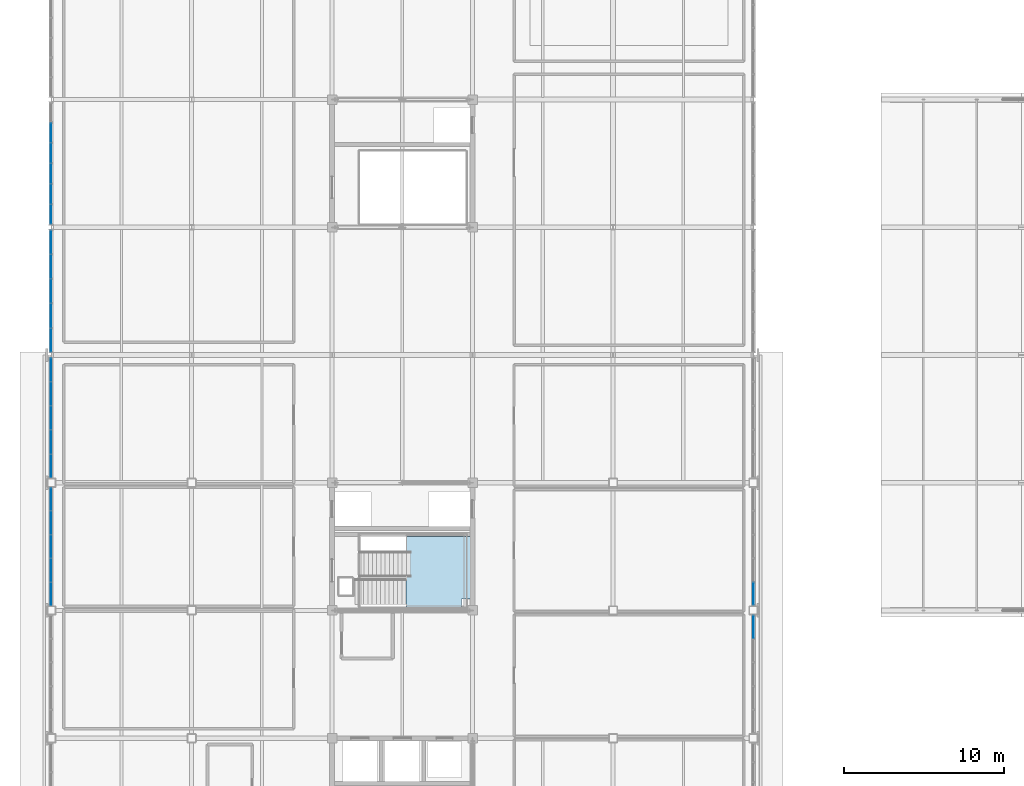
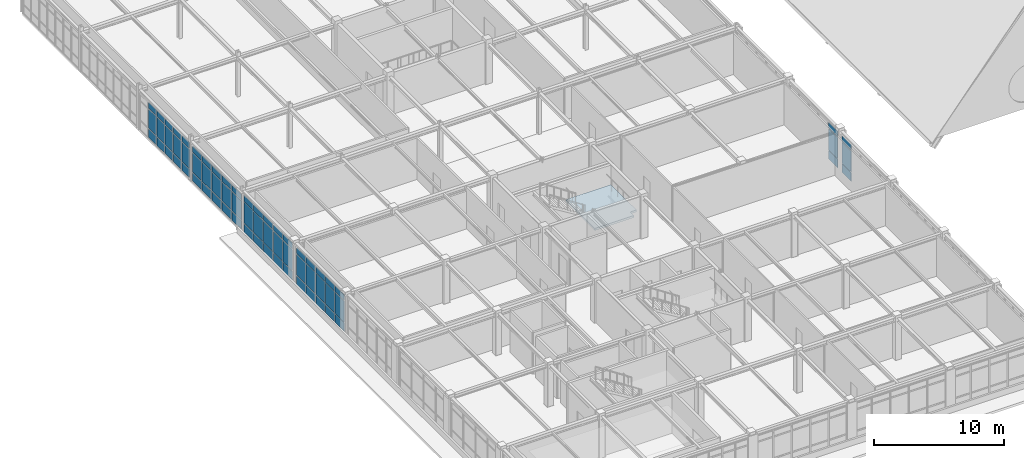
# One storey, part 29 of 64: 66 plates, 1 slab, 7 elements without a shape of their own.
"""IFC4 building model written with IfcOpenShell, lengths in metres."""

import ifcopenshell
import ifcopenshell.guid

model = None  # the IFC model being written
_history = None  # IfcOwnerHistory: only IFC2X3 demands one
_inside = {}  # id of a spatial element -> (the spatial element, [elements in it])
_under = {}  # id of a project, library or spatial element -> (it, [spatial elements below it])
_declared = {}  # id of a project -> (the project, [libraries it declares])
_typed = {}  # id of a type object -> (the type object, [elements of that type])
_made_of = {}  # id of a material, layer set ... -> (it, [elements and type objects made of it])


def new_model(schema):
    """Start an empty IFC model of exactly this schema.

    Asked for "IFC4X3", IfcOpenShell would pick the latest addendum, in which some entities
    have other attributes; the version numbers below select the first issue.
    IFC2X3 requires an IfcOwnerHistory on every rooted entity: one is made here for all.
    """
    global model, _history
    if schema == "IFC4X3":
        model = ifcopenshell.file(schema_version=(4, 3, 0, 0))
    else:
        model = ifcopenshell.file(schema=schema)
    _inside.clear()
    _under.clear()
    _declared.clear()
    _typed.clear()
    _made_of.clear()
    _history = None
    if model.schema == "IFC2X3":
        org = make("IfcOrganization", Name="unknown")
        user = make(
            "IfcPersonAndOrganization",
            ThePerson=make("IfcPerson", FamilyName="unknown"),
            TheOrganization=org,
        )
        app = make(
            "IfcApplication",
            ApplicationDeveloper=org,
            Version="unknown",
            ApplicationFullName="unknown",
            ApplicationIdentifier="unknown",
        )
        _history = make(
            "IfcOwnerHistory",
            OwningUser=user,
            OwningApplication=app,
            ChangeAction="ADDED",
            CreationDate=0,
        )
    return model


def make(cls, **values):
    """One entity of the class cls with the attributes given. An attribute that is None is left unset."""
    return model.create_entity(
        cls, **{name: value for name, value in values.items() if value is not None}
    )


def rooted(cls, **values):
    """An entity with a GlobalId (a new one), such as an element, a storey or a relation."""
    return make(cls, GlobalId=ifcopenshell.guid.new(), OwnerHistory=_history, **values)


def si_unit(unit_type, name, prefix=None):
    """IfcSIUnit, for example si_unit("LENGTHUNIT", "METRE", prefix="MILLI")."""
    return make("IfcSIUnit", UnitType=unit_type, Prefix=prefix, Name=name)


def assignment(units):
    """IfcUnitAssignment: the units of a project."""
    return None if units is None else make("IfcUnitAssignment", Units=units)


def point(xyz):
    """IfcCartesianPoint."""
    return None if xyz is None else make("IfcCartesianPoint", Coordinates=xyz)


def direction(xyz):
    """IfcDirection."""
    return None if xyz is None else make("IfcDirection", DirectionRatios=xyz)


def frame(location, z_axis=None, x_axis=None):
    """IfcAxis2Placement3D, a coordinate frame: its origin and axes. An axis left out is left unset."""
    return make(
        "IfcAxis2Placement3D",
        Location=point(location),
        Axis=direction(z_axis),
        RefDirection=direction(x_axis),
    )


def frame_2d(location, x_axis=None):
    """IfcAxis2Placement2D, a coordinate frame in the plane: its origin and x axis."""
    return make(
        "IfcAxis2Placement2D", Location=point(location), RefDirection=direction(x_axis)
    )


def origin():
    """The frame at (0, 0, 0) with its axes left unset."""
    return frame((0.0, 0.0, 0.0))


def origin_2d():
    """The frame at (0, 0) in the plane with its x axis left unset."""
    return frame_2d((0.0, 0.0))


def place(relative_to, where):
    """IfcLocalPlacement: puts the frame where relative to a parent placement (None: the world)."""
    return make(
        "IfcLocalPlacement", PlacementRelTo=relative_to, RelativePlacement=where
    )


def context(
    kind, dimensions, precision=None, world=None, true_north=None, identifier=None
):
    """IfcGeometricRepresentationContext, for example the 3D "Model" context."""
    return make(
        "IfcGeometricRepresentationContext",
        ContextIdentifier=identifier,
        ContextType=kind,
        CoordinateSpaceDimension=dimensions,
        Precision=precision,
        WorldCoordinateSystem=world,
        TrueNorth=true_north,
    )


def subcontext(parent, identifier, kind, view, scale=None):
    """IfcGeometricRepresentationSubContext, for example "Body" below "Model"."""
    return make(
        "IfcGeometricRepresentationSubContext",
        ContextIdentifier=identifier,
        ContextType=kind,
        ParentContext=parent,
        TargetScale=scale,
        TargetView=view,
    )


def project(units=None, contexts=None):
    """IfcProject with its units and contexts."""
    return rooted(
        "IfcProject",
        Name="project",
        RepresentationContexts=contexts,
        UnitsInContext=assignment(units),
    )


def spatial(cls, under=None, at=None, **own):
    """A site, building, storey or space (cls), placed at a placement, below another one or the project."""
    s = rooted(cls, ObjectPlacement=at, **own)
    if under is not None:
        _under.setdefault(under.id(), (under, []))[1].append(s)
    return s


def polyline(points):
    """IfcPolyline through the points."""
    return make("IfcPolyline", Points=[point(p) for p in points])


def profile(cls, at=None, kind="AREA", **sizes):
    """A parametric profile (cls). Its sizes go by their IFC names, for example OverallWidth=200.0."""
    return make(cls, ProfileType=kind, Position=at, **sizes)


def rectangle(**sizes):
    """IfcRectangleProfileDef."""
    return profile("IfcRectangleProfileDef", **sizes)


def outline(outer, holes=None, kind="AREA"):
    """IfcArbitraryClosedProfileDef: a profile drawn as a closed curve; with holes, ...WithVoids."""
    if holes is None:
        return make("IfcArbitraryClosedProfileDef", ProfileType=kind, OuterCurve=outer)
    return make(
        "IfcArbitraryProfileDefWithVoids",
        ProfileType=kind,
        OuterCurve=outer,
        InnerCurves=holes,
    )


def extrude(swept, where, along, depth):
    """IfcExtrudedAreaSolid: the profile swept, set in the frame where, extruded along a direction by depth."""
    return make(
        "IfcExtrudedAreaSolid",
        SweptArea=swept,
        Position=where,
        ExtrudedDirection=direction(along),
        Depth=depth,
    )


def shape(context_of_items, identifier, shape_type, items):
    """IfcShapeRepresentation: the items that make up one representation, for example the "Body"."""
    return make(
        "IfcShapeRepresentation",
        ContextOfItems=context_of_items,
        RepresentationIdentifier=identifier,
        RepresentationType=shape_type,
        Items=items,
    )


def material(Name=None, Category=None):
    """IfcMaterial."""
    return make("IfcMaterial", Name=Name, Category=Category)


def layer(
    of_material, thickness, ventilated=None, Name=None, Category=None, Priority=None
):
    """IfcMaterialLayer: one layer of a wall or slab, of a material (None: an air gap)."""
    return make(
        "IfcMaterialLayer",
        Material=of_material,
        LayerThickness=thickness,
        IsVentilated=ventilated,
        Name=Name,
        Category=Category,
        Priority=Priority,
    )


def layer_set(layers, Name=None):
    """IfcMaterialLayerSet."""
    return make("IfcMaterialLayerSet", MaterialLayers=layers, LayerSetName=Name)


def made_of(thing, what):
    """Note that an element or type object is made of a material, layer set ...; save() writes the relation."""
    if what is not None:
        _made_of.setdefault(what.id(), (what, []))[1].append(thing)
    return thing


def type_object(cls, material=None, **own):
    """A type object (cls), such as IfcWallType, which elements share."""
    return made_of(rooted(cls, **own), material)


def element(
    cls,
    number,
    at=None,
    inside=None,
    cuts=None,
    type_object=None,
    material=None,
    context=None,
    identifier="Body",
    shape_type=None,
    held_by="IfcProductDefinitionShape",
    body=None,
    shapes=None,
    **own,
):
    """One element of the class cls, such as IfcWall. Its Tag is "e" and its number.

    at: its placement. inside: the storey or other place that contains it. cuts: it is an
    opening in that element (IfcRelVoidsElement). A single representation is given by context,
    identifier, shape_type and body (its items); several are given by shapes. held_by: the class
    of the entity that holds the representations. save() writes the other relations.
    """
    e = rooted(cls, Tag="e%d" % number, ObjectPlacement=at, **own)
    if body is not None:
        shapes = [shape(context, identifier, shape_type, body)]
    if shapes is not None:
        e.Representation = make(held_by, Representations=shapes)
    if inside is not None:
        _inside.setdefault(inside.id(), (inside, []))[1].append(e)
    if cuts is not None:
        rooted(
            "IfcRelVoidsElement", RelatingBuildingElement=cuts, RelatedOpeningElement=e
        )
    if type_object is not None:
        _typed.setdefault(type_object.id(), (type_object, []))[1].append(e)
    return made_of(e, material)


def aggregate(whole, parts):
    """IfcRelAggregates: a whole, such as a stair, and the parts it consists of."""
    return rooted("IfcRelAggregates", RelatingObject=whole, RelatedObjects=parts)


def save(model, path):
    """Write the relations noted so far, then the file.

    IfcRelAggregates (storeys below a building ...), IfcRelContainedInSpatialStructure (elements
    in a storey), IfcRelDefinesByType, IfcRelAssociatesMaterial and IfcRelDeclares: one each for
    every whole, place, type object, material and project.
    """
    for whole, parts in _under.values():
        aggregate(whole, parts)
    for where, things in _inside.values():
        rooted(
            "IfcRelContainedInSpatialStructure",
            RelatedElements=things,
            RelatingStructure=where,
        )
    for kind, things in _typed.values():
        rooted("IfcRelDefinesByType", RelatedObjects=things, RelatingType=kind)
    for what, things in _made_of.values():
        rooted("IfcRelAssociatesMaterial", RelatedObjects=things, RelatingMaterial=what)
    for by, libraries in _declared.values():
        rooted("IfcRelDeclares", RelatingContext=by, RelatedDefinitions=libraries)
    model.write(path)


model = new_model("IFC4")

# Units and contexts
model_context = context("Model", 3, precision=1e-05, world=origin(), true_north=direction((0.0, 1.0)))
body_context = subcontext(model_context, "Body", "Model", "MODEL_VIEW")
ifc_project = project(units=[si_unit("LENGTHUNIT", "METRE"), si_unit("AREAUNIT", "SQUARE_METRE"), si_unit("VOLUMEUNIT", "CUBIC_METRE"), si_unit("PLANEANGLEUNIT", "RADIAN"), si_unit("MASSUNIT", "GRAM", prefix="KILO")], contexts=[model_context])

# Site, building, storey
site_placement = place(None, origin())
site = spatial("IfcSite", under=ifc_project, at=site_placement, CompositionType="ELEMENT")
building_placement = place(site_placement, origin())
building = spatial("IfcBuilding", under=site, at=building_placement, Name="Zhaolan Boulevard Law Courts", CompositionType="ELEMENT")
storey_placement = place(building_placement, frame((0.0, 0.0, 20.39990234375)))
storey = spatial("IfcBuildingStorey", under=building, at=storey_placement, Name="L04", CompositionType="ELEMENT", Elevation=20.39990234375)

# Curtain wall, plates
ifc_material_1 = material(Name="Thermally broken aluminium and low-E glazing", Category="aluminium")
curtain_wall_type_1 = type_object("IfcCurtainWallType", Name="CURTAIN WALL M11", PredefinedType="USERDEFINED", material=ifc_material_1)
curtain_wall_1_placement = place(storey_placement, origin())
curtain_wall_1 = element("IfcCurtainWall", 1, at=curtain_wall_1_placement, inside=storey, type_object=curtain_wall_type_1, Name="Curtain Wall CW-L04-131", ObjectType="CURTAIN WALL", PredefinedType="USERDEFINED")
ifc_material_2 = material(Name="Triple-silver low-E insulated glazing", Category="glass")
ifc_layer_1 = layer(ifc_material_2, 0.028076171875)
ifc_layer_set_1 = layer_set([ifc_layer_1])
plate_type = type_object("IfcPlateType", Name="CWPANEL LOW E28", PredefinedType="CURTAIN_PANEL", material=ifc_layer_set_1)
plate_1_placement = place(storey_placement, frame((0.0, 85.062255859375, 0.06494140625), z_axis=(0.0, 0.0, 1.0), x_axis=(0.0, -1.0, 0.0)))
plate_1 = element("IfcPlate", 2, at=plate_1_placement, type_object=plate_type, Name="CW-L04-131 panel 1.1", PredefinedType="CURTAIN_PANEL", context=body_context, shape_type="SweptSolid", body=[
    extrude(rectangle(XDim=1.441650390625, YDim=0.028076171875, at=origin_2d()), origin(), (0.0, 0.0, 1.0), 0.802490234375),
])
plate_2_placement = place(storey_placement, frame((0.0, 85.062255859375, 0.9326171875), z_axis=(0.0, 0.0, 1.0), x_axis=(0.0, -1.0, 0.0)))
plate_2 = element("IfcPlate", 3, at=plate_2_placement, type_object=plate_type, Name="CW-L04-131 panel 1.2", PredefinedType="CURTAIN_PANEL", context=body_context, shape_type="SweptSolid", body=[
    extrude(rectangle(XDim=1.441650390625, YDim=0.028076171875, at=origin_2d()), origin(), (0.0, 0.0, 1.0), 1.80810546875),
])
plate_3_placement = place(storey_placement, frame((0.0, 85.062255859375, 2.8056640625), z_axis=(0.0, 0.0, 1.0), x_axis=(0.0, -1.0, 0.0)))
plate_3 = element("IfcPlate", 4, at=plate_3_placement, type_object=plate_type, Name="CW-L04-131 panel 1.3", PredefinedType="CURTAIN_PANEL", context=body_context, shape_type="SweptSolid", body=[
    extrude(rectangle(XDim=1.441650390625, YDim=0.028076171875, at=origin_2d()), origin(), (0.0, 0.0, 1.0), 0.552490234375),
])
plate_4_placement = place(storey_placement, frame((0.0, 83.539306640625, 0.06494140625), z_axis=(0.0, 0.0, 1.0), x_axis=(0.0, -1.0, 0.0)))
plate_4 = element("IfcPlate", 5, at=plate_4_placement, type_object=plate_type, Name="CW-L04-131 panel 2.1", PredefinedType="CURTAIN_PANEL", context=body_context, shape_type="SweptSolid", body=[
    extrude(rectangle(XDim=1.47412109375, YDim=0.028076171875, at=origin_2d()), origin(), (0.0, 0.0, 1.0), 0.802490234375),
])
plate_5_placement = place(storey_placement, frame((0.0, 83.539306640625, 0.9326171875), z_axis=(0.0, 0.0, 1.0), x_axis=(0.0, -1.0, 0.0)))
plate_5 = element("IfcPlate", 6, at=plate_5_placement, type_object=plate_type, Name="CW-L04-131 panel 2.2", PredefinedType="CURTAIN_PANEL", context=body_context, shape_type="SweptSolid", body=[
    extrude(rectangle(XDim=1.47412109375, YDim=0.028076171875, at=origin_2d()), origin(), (0.0, 0.0, 1.0), 1.80810546875),
])
plate_6_placement = place(storey_placement, frame((0.0, 83.539306640625, 2.8056640625), z_axis=(0.0, 0.0, 1.0), x_axis=(0.0, -1.0, 0.0)))
plate_6 = element("IfcPlate", 7, at=plate_6_placement, type_object=plate_type, Name="CW-L04-131 panel 2.3", PredefinedType="CURTAIN_PANEL", context=body_context, shape_type="SweptSolid", body=[
    extrude(rectangle(XDim=1.47412109375, YDim=0.028076171875, at=origin_2d()), origin(), (0.0, 0.0, 1.0), 0.552490234375),
])
plate_7_placement = place(storey_placement, frame((0.0, 82.0, 0.06494140625), z_axis=(0.0, 0.0, 1.0), x_axis=(0.0, -1.0, 0.0)))
plate_7 = element("IfcPlate", 8, at=plate_7_placement, type_object=plate_type, Name="CW-L04-131 panel 3.1", PredefinedType="CURTAIN_PANEL", context=body_context, shape_type="SweptSolid", body=[
    extrude(rectangle(XDim=1.47412109375, YDim=0.028076171875, at=origin_2d()), origin(), (0.0, 0.0, 1.0), 0.802490234375),
])
plate_8_placement = place(storey_placement, frame((0.0, 82.0, 0.9326171875), z_axis=(0.0, 0.0, 1.0), x_axis=(0.0, -1.0, 0.0)))
plate_8 = element("IfcPlate", 9, at=plate_8_placement, type_object=plate_type, Name="CW-L04-131 panel 3.2", PredefinedType="CURTAIN_PANEL", context=body_context, shape_type="SweptSolid", body=[
    extrude(rectangle(XDim=1.47412109375, YDim=0.028076171875, at=origin_2d()), origin(), (0.0, 0.0, 1.0), 1.80810546875),
])
plate_9_placement = place(storey_placement, frame((0.0, 82.0, 2.8056640625), z_axis=(0.0, 0.0, 1.0), x_axis=(0.0, -1.0, 0.0)))
plate_9 = element("IfcPlate", 10, at=plate_9_placement, type_object=plate_type, Name="CW-L04-131 panel 3.3", PredefinedType="CURTAIN_PANEL", context=body_context, shape_type="SweptSolid", body=[
    extrude(rectangle(XDim=1.47412109375, YDim=0.028076171875, at=origin_2d()), origin(), (0.0, 0.0, 1.0), 0.552490234375),
])
plate_10_placement = place(storey_placement, frame((0.0, 80.460693359375, 0.06494140625), z_axis=(0.0, 0.0, 1.0), x_axis=(0.0, -1.0, 0.0)))
plate_10 = element("IfcPlate", 11, at=plate_10_placement, type_object=plate_type, Name="CW-L04-131 panel 4.1", PredefinedType="CURTAIN_PANEL", context=body_context, shape_type="SweptSolid", body=[
    extrude(rectangle(XDim=1.47412109375, YDim=0.028076171875, at=origin_2d()), origin(), (0.0, 0.0, 1.0), 0.802490234375),
])
plate_11_placement = place(storey_placement, frame((0.0, 80.460693359375, 0.9326171875), z_axis=(0.0, 0.0, 1.0), x_axis=(0.0, -1.0, 0.0)))
plate_11 = element("IfcPlate", 12, at=plate_11_placement, type_object=plate_type, Name="CW-L04-131 panel 4.2", PredefinedType="CURTAIN_PANEL", context=body_context, shape_type="SweptSolid", body=[
    extrude(rectangle(XDim=1.47412109375, YDim=0.028076171875, at=origin_2d()), origin(), (0.0, 0.0, 1.0), 1.80810546875),
])
plate_12_placement = place(storey_placement, frame((0.0, 80.460693359375, 2.8056640625), z_axis=(0.0, 0.0, 1.0), x_axis=(0.0, -1.0, 0.0)))
plate_12 = element("IfcPlate", 13, at=plate_12_placement, type_object=plate_type, Name="CW-L04-131 panel 4.3", PredefinedType="CURTAIN_PANEL", context=body_context, shape_type="SweptSolid", body=[
    extrude(rectangle(XDim=1.47412109375, YDim=0.028076171875, at=origin_2d()), origin(), (0.0, 0.0, 1.0), 0.552490234375),
])
plate_13_placement = place(storey_placement, frame((0.0, 78.937744140625, 0.06494140625), z_axis=(0.0, 0.0, 1.0), x_axis=(0.0, -1.0, 0.0)))
plate_13 = element("IfcPlate", 14, at=plate_13_placement, type_object=plate_type, Name="CW-L04-131 panel 5.1", PredefinedType="CURTAIN_PANEL", context=body_context, shape_type="SweptSolid", body=[
    extrude(rectangle(XDim=1.441650390625, YDim=0.028076171875, at=origin_2d()), origin(), (0.0, 0.0, 1.0), 0.802490234375),
])
plate_14_placement = place(storey_placement, frame((0.0, 78.937744140625, 0.9326171875), z_axis=(0.0, 0.0, 1.0), x_axis=(0.0, -1.0, 0.0)))
plate_14 = element("IfcPlate", 15, at=plate_14_placement, type_object=plate_type, Name="CW-L04-131 panel 5.2", PredefinedType="CURTAIN_PANEL", context=body_context, shape_type="SweptSolid", body=[
    extrude(rectangle(XDim=1.441650390625, YDim=0.028076171875, at=origin_2d()), origin(), (0.0, 0.0, 1.0), 1.80810546875),
])
plate_15_placement = place(storey_placement, frame((0.0, 78.937744140625, 2.8056640625), z_axis=(0.0, 0.0, 1.0), x_axis=(0.0, -1.0, 0.0)))
plate_15 = element("IfcPlate", 16, at=plate_15_placement, type_object=plate_type, Name="CW-L04-131 panel 5.3", PredefinedType="CURTAIN_PANEL", context=body_context, shape_type="SweptSolid", body=[
    extrude(rectangle(XDim=1.441650390625, YDim=0.028076171875, at=origin_2d()), origin(), (0.0, 0.0, 1.0), 0.552490234375),
])
aggregate(curtain_wall_1, [plate_1, plate_2, plate_3, plate_4, plate_5, plate_6, plate_7, plate_8, plate_9, plate_10, plate_11, plate_12, plate_13, plate_14, plate_15])

ifc_material_3 = material(Name="Thermally broken aluminium and low-E glazing", Category="aluminium")
curtain_wall_type_2 = type_object("IfcCurtainWallType", Name="CURTAIN WALL M12", PredefinedType="USERDEFINED", material=ifc_material_3)
curtain_wall_2_placement = place(storey_placement, origin())
curtain_wall_2 = element("IfcCurtainWall", 17, at=curtain_wall_2_placement, inside=storey, type_object=curtain_wall_type_2, Name="Curtain Wall CW-L04-132", ObjectType="CURTAIN WALL", PredefinedType="USERDEFINED")
plate_16_placement = place(storey_placement, frame((0.0, 91.924072265625, 0.06494140625), z_axis=(0.0, 0.0, 1.0), x_axis=(0.0, -1.0, 0.0)))
plate_16 = element("IfcPlate", 18, at=plate_16_placement, type_object=plate_type, Name="CW-L04-132 panel 2.1", PredefinedType="CURTAIN_PANEL", context=body_context, shape_type="SweptSolid", body=[
    extrude(rectangle(XDim=1.2177734375, YDim=0.028076171875, at=origin_2d()), origin(), (0.0, 0.0, 1.0), 0.802490234375),
])
plate_17_placement = place(storey_placement, frame((0.0, 91.924072265625, 0.9326171875), z_axis=(0.0, 0.0, 1.0), x_axis=(0.0, -1.0, 0.0)))
plate_17 = element("IfcPlate", 19, at=plate_17_placement, type_object=plate_type, Name="CW-L04-132 panel 2.2", PredefinedType="CURTAIN_PANEL", context=body_context, shape_type="SweptSolid", body=[
    extrude(rectangle(XDim=1.2177734375, YDim=0.028076171875, at=origin_2d()), origin(), (0.0, 0.0, 1.0), 1.80810546875),
])
plate_18_placement = place(storey_placement, frame((0.0, 91.924072265625, 2.8056640625), z_axis=(0.0, 0.0, 1.0), x_axis=(0.0, -1.0, 0.0)))
plate_18 = element("IfcPlate", 20, at=plate_18_placement, type_object=plate_type, Name="CW-L04-132 panel 2.3", PredefinedType="CURTAIN_PANEL", context=body_context, shape_type="SweptSolid", body=[
    extrude(rectangle(XDim=1.2177734375, YDim=0.028076171875, at=origin_2d()), origin(), (0.0, 0.0, 1.0), 0.552490234375),
])
plate_19_placement = place(storey_placement, frame((0.0, 90.641357421875, 0.06494140625), z_axis=(0.0, 0.0, 1.0), x_axis=(0.0, -1.0, 0.0)))
plate_19 = element("IfcPlate", 21, at=plate_19_placement, type_object=plate_type, Name="CW-L04-132 panel 3.1", PredefinedType="CURTAIN_PANEL", context=body_context, shape_type="SweptSolid", body=[
    extrude(rectangle(XDim=1.2177734375, YDim=0.028076171875, at=origin_2d()), origin(), (0.0, 0.0, 1.0), 0.802490234375),
])
plate_20_placement = place(storey_placement, frame((0.0, 90.641357421875, 0.9326171875), z_axis=(0.0, 0.0, 1.0), x_axis=(0.0, -1.0, 0.0)))
plate_20 = element("IfcPlate", 22, at=plate_20_placement, type_object=plate_type, Name="CW-L04-132 panel 3.2", PredefinedType="CURTAIN_PANEL", context=body_context, shape_type="SweptSolid", body=[
    extrude(rectangle(XDim=1.2177734375, YDim=0.028076171875, at=origin_2d()), origin(), (0.0, 0.0, 1.0), 1.80810546875),
])
plate_21_placement = place(storey_placement, frame((0.0, 90.641357421875, 2.8056640625), z_axis=(0.0, 0.0, 1.0), x_axis=(0.0, -1.0, 0.0)))
plate_21 = element("IfcPlate", 23, at=plate_21_placement, type_object=plate_type, Name="CW-L04-132 panel 3.3", PredefinedType="CURTAIN_PANEL", context=body_context, shape_type="SweptSolid", body=[
    extrude(rectangle(XDim=1.2177734375, YDim=0.028076171875, at=origin_2d()), origin(), (0.0, 0.0, 1.0), 0.552490234375),
])
plate_22_placement = place(storey_placement, frame((0.0, 89.358642578125, 0.06494140625), z_axis=(0.0, 0.0, 1.0), x_axis=(0.0, -1.0, 0.0)))
plate_22 = element("IfcPlate", 24, at=plate_22_placement, type_object=plate_type, Name="CW-L04-132 panel 4.1", PredefinedType="CURTAIN_PANEL", context=body_context, shape_type="SweptSolid", body=[
    extrude(rectangle(XDim=1.2177734375, YDim=0.028076171875, at=origin_2d()), origin(), (0.0, 0.0, 1.0), 0.802490234375),
])
plate_23_placement = place(storey_placement, frame((0.0, 89.358642578125, 0.9326171875), z_axis=(0.0, 0.0, 1.0), x_axis=(0.0, -1.0, 0.0)))
plate_23 = element("IfcPlate", 25, at=plate_23_placement, type_object=plate_type, Name="CW-L04-132 panel 4.2", PredefinedType="CURTAIN_PANEL", context=body_context, shape_type="SweptSolid", body=[
    extrude(rectangle(XDim=1.2177734375, YDim=0.028076171875, at=origin_2d()), origin(), (0.0, 0.0, 1.0), 1.80810546875),
])
plate_24_placement = place(storey_placement, frame((0.0, 89.358642578125, 2.8056640625), z_axis=(0.0, 0.0, 1.0), x_axis=(0.0, -1.0, 0.0)))
plate_24 = element("IfcPlate", 26, at=plate_24_placement, type_object=plate_type, Name="CW-L04-132 panel 4.3", PredefinedType="CURTAIN_PANEL", context=body_context, shape_type="SweptSolid", body=[
    extrude(rectangle(XDim=1.2177734375, YDim=0.028076171875, at=origin_2d()), origin(), (0.0, 0.0, 1.0), 0.552490234375),
])
plate_25_placement = place(storey_placement, frame((0.0, 88.075927734375, 0.06494140625), z_axis=(0.0, 0.0, 1.0), x_axis=(0.0, -1.0, 0.0)))
plate_25 = element("IfcPlate", 27, at=plate_25_placement, type_object=plate_type, Name="CW-L04-132 panel 5.1", PredefinedType="CURTAIN_PANEL", context=body_context, shape_type="SweptSolid", body=[
    extrude(rectangle(XDim=1.2177734375, YDim=0.028076171875, at=origin_2d()), origin(), (0.0, 0.0, 1.0), 0.802490234375),
])
plate_26_placement = place(storey_placement, frame((0.0, 88.075927734375, 0.9326171875), z_axis=(0.0, 0.0, 1.0), x_axis=(0.0, -1.0, 0.0)))
plate_26 = element("IfcPlate", 28, at=plate_26_placement, type_object=plate_type, Name="CW-L04-132 panel 5.2", PredefinedType="CURTAIN_PANEL", context=body_context, shape_type="SweptSolid", body=[
    extrude(rectangle(XDim=1.2177734375, YDim=0.028076171875, at=origin_2d()), origin(), (0.0, 0.0, 1.0), 1.80810546875),
])
plate_27_placement = place(storey_placement, frame((0.0, 88.075927734375, 2.8056640625), z_axis=(0.0, 0.0, 1.0), x_axis=(0.0, -1.0, 0.0)))
plate_27 = element("IfcPlate", 29, at=plate_27_placement, type_object=plate_type, Name="CW-L04-132 panel 5.3", PredefinedType="CURTAIN_PANEL", context=body_context, shape_type="SweptSolid", body=[
    extrude(rectangle(XDim=1.2177734375, YDim=0.028076171875, at=origin_2d()), origin(), (0.0, 0.0, 1.0), 0.552490234375),
])
plate_28_placement = place(storey_placement, frame((0.0, 86.8095703125, 0.06494140625), z_axis=(0.0, 0.0, 1.0), x_axis=(0.0, -1.0, 0.0)))
plate_28 = element("IfcPlate", 30, at=plate_28_placement, type_object=plate_type, Name="CW-L04-132 panel 6.1", PredefinedType="CURTAIN_PANEL", context=body_context, shape_type="SweptSolid", body=[
    extrude(rectangle(XDim=1.18505859375, YDim=0.028076171875, at=origin_2d()), origin(), (0.0, 0.0, 1.0), 0.802490234375),
])
plate_29_placement = place(storey_placement, frame((0.0, 86.8095703125, 0.9326171875), z_axis=(0.0, 0.0, 1.0), x_axis=(0.0, -1.0, 0.0)))
plate_29 = element("IfcPlate", 31, at=plate_29_placement, type_object=plate_type, Name="CW-L04-132 panel 6.2", PredefinedType="CURTAIN_PANEL", context=body_context, shape_type="SweptSolid", body=[
    extrude(rectangle(XDim=1.18505859375, YDim=0.028076171875, at=origin_2d()), origin(), (0.0, 0.0, 1.0), 1.80810546875),
])
plate_30_placement = place(storey_placement, frame((0.0, 86.8095703125, 2.8056640625), z_axis=(0.0, 0.0, 1.0), x_axis=(0.0, -1.0, 0.0)))
plate_30 = element("IfcPlate", 32, at=plate_30_placement, type_object=plate_type, Name="CW-L04-132 panel 6.3", PredefinedType="CURTAIN_PANEL", context=body_context, shape_type="SweptSolid", body=[
    extrude(rectangle(XDim=1.18505859375, YDim=0.028076171875, at=origin_2d()), origin(), (0.0, 0.0, 1.0), 0.552490234375),
])
aggregate(curtain_wall_2, [plate_16, plate_17, plate_18, plate_19, plate_20, plate_21, plate_22, plate_23, plate_24, plate_25, plate_26, plate_27, plate_28, plate_29, plate_30])

ifc_material_4 = material(Name="Thermally broken aluminium and low-E glazing", Category="aluminium")
curtain_wall_type_3 = type_object("IfcCurtainWallType", Name="CURTAIN WALL M2", PredefinedType="USERDEFINED", material=ifc_material_4)
curtain_wall_3_placement = place(storey_placement, origin())
curtain_wall_3 = element("IfcCurtainWall", 33, at=curtain_wall_3_placement, inside=storey, type_object=curtain_wall_type_3, Name="Curtain Wall CW-L04-194", ObjectType="CURTAIN WALL", PredefinedType="USERDEFINED")
plate_31_placement = place(storey_placement, frame((0.0, 68.96337890625, 0.06005859375), z_axis=(0.0, 0.0, 1.0), x_axis=(0.0, -1.0, 0.0)))
plate_31 = element("IfcPlate", 34, at=plate_31_placement, type_object=plate_type, Name="CW-L04-194 panel 1.1", PredefinedType="CURTAIN_PANEL", context=body_context, shape_type="SweptSolid", body=[
    extrude(rectangle(XDim=1.399169921875, YDim=0.028076171875, at=origin_2d()), origin(), (0.0, 0.0, 1.0), 0.81005859375),
])
plate_32_placement = place(storey_placement, frame((0.0, 68.96337890625, 0.93017578125), z_axis=(0.0, 0.0, 1.0), x_axis=(0.0, -1.0, 0.0)))
plate_32 = element("IfcPlate", 35, at=plate_32_placement, type_object=plate_type, Name="CW-L04-194 panel 1.2", PredefinedType="CURTAIN_PANEL", context=body_context, shape_type="SweptSolid", body=[
    extrude(rectangle(XDim=1.399169921875, YDim=0.028076171875, at=origin_2d()), origin(), (0.0, 0.0, 1.0), 1.98291015625),
])
plate_33_placement = place(storey_placement, frame((0.0, 68.96337890625, 2.97314453125), z_axis=(0.0, 0.0, 1.0), x_axis=(0.0, -1.0, 0.0)))
plate_33 = element("IfcPlate", 36, at=plate_33_placement, type_object=plate_type, Name="CW-L04-194 panel 1.3", PredefinedType="CURTAIN_PANEL", context=body_context, shape_type="SweptSolid", body=[
    extrude(rectangle(XDim=1.399169921875, YDim=0.028076171875, at=origin_2d()), origin(), (0.0, 0.0, 1.0), 0.56005859375),
])
plate_34_placement = place(storey_placement, frame((0.0, 67.4892578125, 0.06005859375), z_axis=(0.0, 0.0, 1.0), x_axis=(0.0, -1.0, 0.0)))
plate_34 = element("IfcPlate", 37, at=plate_34_placement, type_object=plate_type, Name="CW-L04-194 panel 2.1", PredefinedType="CURTAIN_PANEL", context=body_context, shape_type="SweptSolid", body=[
    extrude(rectangle(XDim=1.42919921875, YDim=0.028076171875, at=origin_2d()), origin(), (0.0, 0.0, 1.0), 0.81005859375),
])
plate_35_placement = place(storey_placement, frame((0.0, 67.4892578125, 0.93017578125), z_axis=(0.0, 0.0, 1.0), x_axis=(0.0, -1.0, 0.0)))
plate_35 = element("IfcPlate", 38, at=plate_35_placement, type_object=plate_type, Name="CW-L04-194 panel 2.2", PredefinedType="CURTAIN_PANEL", context=body_context, shape_type="SweptSolid", body=[
    extrude(rectangle(XDim=1.42919921875, YDim=0.028076171875, at=origin_2d()), origin(), (0.0, 0.0, 1.0), 1.98291015625),
])
plate_36_placement = place(storey_placement, frame((0.0, 67.4892578125, 2.97314453125), z_axis=(0.0, 0.0, 1.0), x_axis=(0.0, -1.0, 0.0)))
plate_36 = element("IfcPlate", 39, at=plate_36_placement, type_object=plate_type, Name="CW-L04-194 panel 2.3", PredefinedType="CURTAIN_PANEL", context=body_context, shape_type="SweptSolid", body=[
    extrude(rectangle(XDim=1.42919921875, YDim=0.028076171875, at=origin_2d()), origin(), (0.0, 0.0, 1.0), 0.56005859375),
])
plate_37_placement = place(storey_placement, frame((0.0, 66.0, 0.06005859375), z_axis=(0.0, 0.0, 1.0), x_axis=(0.0, -1.0, 0.0)))
plate_37 = element("IfcPlate", 40, at=plate_37_placement, type_object=plate_type, Name="CW-L04-194 panel 3.1", PredefinedType="CURTAIN_PANEL", context=body_context, shape_type="SweptSolid", body=[
    extrude(rectangle(XDim=1.42919921875, YDim=0.028076171875, at=origin_2d()), origin(), (0.0, 0.0, 1.0), 0.81005859375),
])
plate_38_placement = place(storey_placement, frame((0.0, 66.0, 0.93017578125), z_axis=(0.0, 0.0, 1.0), x_axis=(0.0, -1.0, 0.0)))
plate_38 = element("IfcPlate", 41, at=plate_38_placement, type_object=plate_type, Name="CW-L04-194 panel 3.2", PredefinedType="CURTAIN_PANEL", context=body_context, shape_type="SweptSolid", body=[
    extrude(rectangle(XDim=1.42919921875, YDim=0.028076171875, at=origin_2d()), origin(), (0.0, 0.0, 1.0), 1.98291015625),
])
plate_39_placement = place(storey_placement, frame((0.0, 66.0, 2.97314453125), z_axis=(0.0, 0.0, 1.0), x_axis=(0.0, -1.0, 0.0)))
plate_39 = element("IfcPlate", 42, at=plate_39_placement, type_object=plate_type, Name="CW-L04-194 panel 3.3", PredefinedType="CURTAIN_PANEL", context=body_context, shape_type="SweptSolid", body=[
    extrude(rectangle(XDim=1.42919921875, YDim=0.028076171875, at=origin_2d()), origin(), (0.0, 0.0, 1.0), 0.56005859375),
])
plate_40_placement = place(storey_placement, frame((0.0, 64.5107421875, 0.06005859375), z_axis=(0.0, 0.0, 1.0), x_axis=(0.0, -1.0, 0.0)))
plate_40 = element("IfcPlate", 43, at=plate_40_placement, type_object=plate_type, Name="CW-L04-194 panel 4.1", PredefinedType="CURTAIN_PANEL", context=body_context, shape_type="SweptSolid", body=[
    extrude(rectangle(XDim=1.42919921875, YDim=0.028076171875, at=origin_2d()), origin(), (0.0, 0.0, 1.0), 0.81005859375),
])
plate_41_placement = place(storey_placement, frame((0.0, 64.5107421875, 0.93017578125), z_axis=(0.0, 0.0, 1.0), x_axis=(0.0, -1.0, 0.0)))
plate_41 = element("IfcPlate", 44, at=plate_41_placement, type_object=plate_type, Name="CW-L04-194 panel 4.2", PredefinedType="CURTAIN_PANEL", context=body_context, shape_type="SweptSolid", body=[
    extrude(rectangle(XDim=1.42919921875, YDim=0.028076171875, at=origin_2d()), origin(), (0.0, 0.0, 1.0), 1.98291015625),
])
plate_42_placement = place(storey_placement, frame((0.0, 64.5107421875, 2.97314453125), z_axis=(0.0, 0.0, 1.0), x_axis=(0.0, -1.0, 0.0)))
plate_42 = element("IfcPlate", 45, at=plate_42_placement, type_object=plate_type, Name="CW-L04-194 panel 4.3", PredefinedType="CURTAIN_PANEL", context=body_context, shape_type="SweptSolid", body=[
    extrude(rectangle(XDim=1.42919921875, YDim=0.028076171875, at=origin_2d()), origin(), (0.0, 0.0, 1.0), 0.56005859375),
])
plate_43_placement = place(storey_placement, frame((0.0, 63.03662109375, 0.06005859375), z_axis=(0.0, 0.0, 1.0), x_axis=(0.0, -1.0, 0.0)))
plate_43 = element("IfcPlate", 46, at=plate_43_placement, type_object=plate_type, Name="CW-L04-194 panel 5.1", PredefinedType="CURTAIN_PANEL", context=body_context, shape_type="SweptSolid", body=[
    extrude(rectangle(XDim=1.399169921875, YDim=0.028076171875, at=origin_2d()), origin(), (0.0, 0.0, 1.0), 0.81005859375),
])
plate_44_placement = place(storey_placement, frame((0.0, 63.03662109375, 0.93017578125), z_axis=(0.0, 0.0, 1.0), x_axis=(0.0, -1.0, 0.0)))
plate_44 = element("IfcPlate", 47, at=plate_44_placement, type_object=plate_type, Name="CW-L04-194 panel 5.2", PredefinedType="CURTAIN_PANEL", context=body_context, shape_type="SweptSolid", body=[
    extrude(rectangle(XDim=1.399169921875, YDim=0.028076171875, at=origin_2d()), origin(), (0.0, 0.0, 1.0), 1.98291015625),
])
plate_45_placement = place(storey_placement, frame((0.0, 63.03662109375, 2.97314453125), z_axis=(0.0, 0.0, 1.0), x_axis=(0.0, -1.0, 0.0)))
plate_45 = element("IfcPlate", 48, at=plate_45_placement, type_object=plate_type, Name="CW-L04-194 panel 5.3", PredefinedType="CURTAIN_PANEL", context=body_context, shape_type="SweptSolid", body=[
    extrude(rectangle(XDim=1.399169921875, YDim=0.028076171875, at=origin_2d()), origin(), (0.0, 0.0, 1.0), 0.56005859375),
])
aggregate(curtain_wall_3, [plate_31, plate_32, plate_33, plate_34, plate_35, plate_36, plate_37, plate_38, plate_39, plate_40, plate_41, plate_42, plate_43, plate_44, plate_45])

ifc_material_5 = material(Name="Thermally broken aluminium and low-E glazing", Category="aluminium")
curtain_wall_type_4 = type_object("IfcCurtainWallType", Name="CURTAIN WALL M3", PredefinedType="USERDEFINED", material=ifc_material_5)
curtain_wall_4_placement = place(storey_placement, origin())
curtain_wall_4 = element("IfcCurtainWall", 49, at=curtain_wall_4_placement, inside=storey, type_object=curtain_wall_type_4, Name="Curtain Wall CW-L04-195", ObjectType="CURTAIN WALL", PredefinedType="USERDEFINED")
plate_46_placement = place(storey_placement, frame((0.0, 77.075927734375, 0.06005859375), z_axis=(0.0, 0.0, 1.0), x_axis=(0.0, -1.0, 0.0)))
plate_46 = element("IfcPlate", 50, at=plate_46_placement, type_object=plate_type, Name="CW-L04-195 panel 1.1", PredefinedType="CURTAIN_PANEL", context=body_context, shape_type="SweptSolid", body=[
    extrude(rectangle(XDim=1.42431640625, YDim=0.028076171875, at=origin_2d()), origin(), (0.0, 0.0, 1.0), 0.81005859375),
])
plate_47_placement = place(storey_placement, frame((0.0, 77.075927734375, 0.93017578125), z_axis=(0.0, 0.0, 1.0), x_axis=(0.0, -1.0, 0.0)))
plate_47 = element("IfcPlate", 51, at=plate_47_placement, type_object=plate_type, Name="CW-L04-195 panel 1.2", PredefinedType="CURTAIN_PANEL", context=body_context, shape_type="SweptSolid", body=[
    extrude(rectangle(XDim=1.42431640625, YDim=0.028076171875, at=origin_2d()), origin(), (0.0, 0.0, 1.0), 1.98291015625),
])
plate_48_placement = place(storey_placement, frame((0.0, 77.075927734375, 2.97314453125), z_axis=(0.0, 0.0, 1.0), x_axis=(0.0, -1.0, 0.0)))
plate_48 = element("IfcPlate", 52, at=plate_48_placement, type_object=plate_type, Name="CW-L04-195 panel 1.3", PredefinedType="CURTAIN_PANEL", context=body_context, shape_type="SweptSolid", body=[
    extrude(rectangle(XDim=1.42431640625, YDim=0.028076171875, at=origin_2d()), origin(), (0.0, 0.0, 1.0), 0.56005859375),
])
plate_49_placement = place(storey_placement, frame((0.0, 75.57666015625, 0.06005859375), z_axis=(0.0, 0.0, 1.0), x_axis=(0.0, -1.0, 0.0)))
plate_49 = element("IfcPlate", 53, at=plate_49_placement, type_object=plate_type, Name="CW-L04-195 panel 2.1", PredefinedType="CURTAIN_PANEL", context=body_context, shape_type="SweptSolid", body=[
    extrude(rectangle(XDim=1.4541015625, YDim=0.028076171875, at=origin_2d()), origin(), (0.0, 0.0, 1.0), 0.81005859375),
])
plate_50_placement = place(storey_placement, frame((0.0, 75.57666015625, 0.93017578125), z_axis=(0.0, 0.0, 1.0), x_axis=(0.0, -1.0, 0.0)))
plate_50 = element("IfcPlate", 54, at=plate_50_placement, type_object=plate_type, Name="CW-L04-195 panel 2.2", PredefinedType="CURTAIN_PANEL", context=body_context, shape_type="SweptSolid", body=[
    extrude(rectangle(XDim=1.4541015625, YDim=0.028076171875, at=origin_2d()), origin(), (0.0, 0.0, 1.0), 1.98291015625),
])
plate_51_placement = place(storey_placement, frame((0.0, 75.57666015625, 2.97314453125), z_axis=(0.0, 0.0, 1.0), x_axis=(0.0, -1.0, 0.0)))
plate_51 = element("IfcPlate", 55, at=plate_51_placement, type_object=plate_type, Name="CW-L04-195 panel 2.3", PredefinedType="CURTAIN_PANEL", context=body_context, shape_type="SweptSolid", body=[
    extrude(rectangle(XDim=1.4541015625, YDim=0.028076171875, at=origin_2d()), origin(), (0.0, 0.0, 1.0), 0.56005859375),
])
plate_52_placement = place(storey_placement, frame((0.0, 74.0625, 0.06005859375), z_axis=(0.0, 0.0, 1.0), x_axis=(0.0, -1.0, 0.0)))
plate_52 = element("IfcPlate", 56, at=plate_52_placement, type_object=plate_type, Name="CW-L04-195 panel 3.1", PredefinedType="CURTAIN_PANEL", context=body_context, shape_type="SweptSolid", body=[
    extrude(rectangle(XDim=1.4541015625, YDim=0.028076171875, at=origin_2d()), origin(), (0.0, 0.0, 1.0), 0.81005859375),
])
plate_53_placement = place(storey_placement, frame((0.0, 74.0625, 0.93017578125), z_axis=(0.0, 0.0, 1.0), x_axis=(0.0, -1.0, 0.0)))
plate_53 = element("IfcPlate", 57, at=plate_53_placement, type_object=plate_type, Name="CW-L04-195 panel 3.2", PredefinedType="CURTAIN_PANEL", context=body_context, shape_type="SweptSolid", body=[
    extrude(rectangle(XDim=1.4541015625, YDim=0.028076171875, at=origin_2d()), origin(), (0.0, 0.0, 1.0), 1.98291015625),
])
plate_54_placement = place(storey_placement, frame((0.0, 74.0625, 2.97314453125), z_axis=(0.0, 0.0, 1.0), x_axis=(0.0, -1.0, 0.0)))
plate_54 = element("IfcPlate", 58, at=plate_54_placement, type_object=plate_type, Name="CW-L04-195 panel 3.3", PredefinedType="CURTAIN_PANEL", context=body_context, shape_type="SweptSolid", body=[
    extrude(rectangle(XDim=1.4541015625, YDim=0.028076171875, at=origin_2d()), origin(), (0.0, 0.0, 1.0), 0.56005859375),
])
plate_55_placement = place(storey_placement, frame((0.0, 72.54833984375, 0.06005859375), z_axis=(0.0, 0.0, 1.0), x_axis=(0.0, -1.0, 0.0)))
plate_55 = element("IfcPlate", 59, at=plate_55_placement, type_object=plate_type, Name="CW-L04-195 panel 4.1", PredefinedType="CURTAIN_PANEL", context=body_context, shape_type="SweptSolid", body=[
    extrude(rectangle(XDim=1.4541015625, YDim=0.028076171875, at=origin_2d()), origin(), (0.0, 0.0, 1.0), 0.81005859375),
])
plate_56_placement = place(storey_placement, frame((0.0, 72.54833984375, 0.93017578125), z_axis=(0.0, 0.0, 1.0), x_axis=(0.0, -1.0, 0.0)))
plate_56 = element("IfcPlate", 60, at=plate_56_placement, type_object=plate_type, Name="CW-L04-195 panel 4.2", PredefinedType="CURTAIN_PANEL", context=body_context, shape_type="SweptSolid", body=[
    extrude(rectangle(XDim=1.4541015625, YDim=0.028076171875, at=origin_2d()), origin(), (0.0, 0.0, 1.0), 1.98291015625),
])
plate_57_placement = place(storey_placement, frame((0.0, 72.54833984375, 2.97314453125), z_axis=(0.0, 0.0, 1.0), x_axis=(0.0, -1.0, 0.0)))
plate_57 = element("IfcPlate", 61, at=plate_57_placement, type_object=plate_type, Name="CW-L04-195 panel 4.3", PredefinedType="CURTAIN_PANEL", context=body_context, shape_type="SweptSolid", body=[
    extrude(rectangle(XDim=1.4541015625, YDim=0.028076171875, at=origin_2d()), origin(), (0.0, 0.0, 1.0), 0.56005859375),
])
plate_58_placement = place(storey_placement, frame((0.0, 71.049072265625, 0.06005859375), z_axis=(0.0, 0.0, 1.0), x_axis=(0.0, -1.0, 0.0)))
plate_58 = element("IfcPlate", 62, at=plate_58_placement, type_object=plate_type, Name="CW-L04-195 panel 5.1", PredefinedType="CURTAIN_PANEL", context=body_context, shape_type="SweptSolid", body=[
    extrude(rectangle(XDim=1.42431640625, YDim=0.028076171875, at=origin_2d()), origin(), (0.0, 0.0, 1.0), 0.81005859375),
])
plate_59_placement = place(storey_placement, frame((0.0, 71.049072265625, 0.93017578125), z_axis=(0.0, 0.0, 1.0), x_axis=(0.0, -1.0, 0.0)))
plate_59 = element("IfcPlate", 63, at=plate_59_placement, type_object=plate_type, Name="CW-L04-195 panel 5.2", PredefinedType="CURTAIN_PANEL", context=body_context, shape_type="SweptSolid", body=[
    extrude(rectangle(XDim=1.42431640625, YDim=0.028076171875, at=origin_2d()), origin(), (0.0, 0.0, 1.0), 1.98291015625),
])
plate_60_placement = place(storey_placement, frame((0.0, 71.049072265625, 2.97314453125), z_axis=(0.0, 0.0, 1.0), x_axis=(0.0, -1.0, 0.0)))
plate_60 = element("IfcPlate", 64, at=plate_60_placement, type_object=plate_type, Name="CW-L04-195 panel 5.3", PredefinedType="CURTAIN_PANEL", context=body_context, shape_type="SweptSolid", body=[
    extrude(rectangle(XDim=1.42431640625, YDim=0.028076171875, at=origin_2d()), origin(), (0.0, 0.0, 1.0), 0.56005859375),
])
aggregate(curtain_wall_4, [plate_46, plate_47, plate_48, plate_49, plate_50, plate_51, plate_52, plate_53, plate_54, plate_55, plate_56, plate_57, plate_58, plate_59, plate_60])

ifc_material_6 = material(Name="Thermally broken aluminium and low-E glazing", Category="aluminium")
curtain_wall_type_5 = type_object("IfcCurtainWallType", Name="CURTAIN WALL M7", PredefinedType="USERDEFINED", material=ifc_material_6)
curtain_wall_5_placement = place(storey_placement, origin())
curtain_wall_5 = element("IfcCurtainWall", 65, at=curtain_wall_5_placement, inside=storey, type_object=curtain_wall_type_5, Name="Curtain Wall CW-L04-199", ObjectType="CURTAIN WALL", PredefinedType="USERDEFINED")
plate_61_placement = place(storey_placement, frame((44.0, 60.962158203125, 0.06494140625), z_axis=(0.0, 0.0, 1.0), x_axis=(0.0, 1.0, 0.0)))
plate_61 = element("IfcPlate", 66, at=plate_61_placement, type_object=plate_type, Name="CW-L04-199 panel 5.1", PredefinedType="CURTAIN_PANEL", context=body_context, shape_type="SweptSolid", body=[
    extrude(rectangle(XDim=1.3916015625, YDim=0.028076171875, at=origin_2d()), origin(), (0.0, 0.0, 1.0), 0.802490234375),
])
plate_62_placement = place(storey_placement, frame((44.0, 60.962158203125, 0.9326171875), z_axis=(0.0, 0.0, 1.0), x_axis=(0.0, 1.0, 0.0)))
plate_62 = element("IfcPlate", 67, at=plate_62_placement, type_object=plate_type, Name="CW-L04-199 panel 5.2", PredefinedType="CURTAIN_PANEL", context=body_context, shape_type="SweptSolid", body=[
    extrude(rectangle(XDim=1.3916015625, YDim=0.028076171875, at=origin_2d()), origin(), (0.0, 0.0, 1.0), 1.97802734375),
])
plate_63_placement = place(storey_placement, frame((44.0, 60.962158203125, 2.9755859375), z_axis=(0.0, 0.0, 1.0), x_axis=(0.0, 1.0, 0.0)))
plate_63 = element("IfcPlate", 68, at=plate_63_placement, type_object=plate_type, Name="CW-L04-199 panel 5.3", PredefinedType="CURTAIN_PANEL", context=body_context, shape_type="SweptSolid", body=[
    extrude(rectangle(XDim=1.3916015625, YDim=0.028076171875, at=origin_2d()), origin(), (0.0, 0.0, 1.0), 0.552490234375),
])
aggregate(curtain_wall_5, [plate_61, plate_62, plate_63])

ifc_material_7 = material(Name="Thermally broken aluminium and low-E glazing", Category="aluminium")
curtain_wall_type_6 = type_object("IfcCurtainWallType", Name="CURTAIN WALL M8", PredefinedType="USERDEFINED", material=ifc_material_7)
curtain_wall_6_placement = place(storey_placement, origin())
curtain_wall_6 = element("IfcCurtainWall", 69, at=curtain_wall_6_placement, inside=storey, type_object=curtain_wall_type_6, Name="Curtain Wall CW-L04-200", ObjectType="CURTAIN WALL", PredefinedType="USERDEFINED")
plate_64_placement = place(storey_placement, frame((44.0, 63.037841796875, 0.06494140625), z_axis=(0.0, 0.0, 1.0), x_axis=(0.0, 1.0, 0.0)))
plate_64 = element("IfcPlate", 70, at=plate_64_placement, type_object=plate_type, Name="CW-L04-200 panel 1.1", PredefinedType="CURTAIN_PANEL", context=body_context, shape_type="SweptSolid", body=[
    extrude(rectangle(XDim=1.3916015625, YDim=0.028076171875, at=origin_2d()), origin(), (0.0, 0.0, 1.0), 0.802490234375),
])
plate_65_placement = place(storey_placement, frame((44.0, 63.037841796875, 0.9326171875), z_axis=(0.0, 0.0, 1.0), x_axis=(0.0, 1.0, 0.0)))
plate_65 = element("IfcPlate", 71, at=plate_65_placement, type_object=plate_type, Name="CW-L04-200 panel 1.2", PredefinedType="CURTAIN_PANEL", context=body_context, shape_type="SweptSolid", body=[
    extrude(rectangle(XDim=1.3916015625, YDim=0.028076171875, at=origin_2d()), origin(), (0.0, 0.0, 1.0), 1.97802734375),
])
plate_66_placement = place(storey_placement, frame((44.0, 63.037841796875, 2.9755859375), z_axis=(0.0, 0.0, 1.0), x_axis=(0.0, 1.0, 0.0)))
plate_66 = element("IfcPlate", 72, at=plate_66_placement, type_object=plate_type, Name="CW-L04-200 panel 1.3", PredefinedType="CURTAIN_PANEL", context=body_context, shape_type="SweptSolid", body=[
    extrude(rectangle(XDim=1.3916015625, YDim=0.028076171875, at=origin_2d()), origin(), (0.0, 0.0, 1.0), 0.552490234375),
])
aggregate(curtain_wall_6, [plate_64, plate_65, plate_66])

# Stair, slab
ifc_material_8 = material(Name="Concrete C40", Category="concrete")
stair_type = type_object("IfcStairType", Name="HALF TURN STAIR 42 B", PredefinedType="HALF_TURN_STAIR", material=ifc_material_8)
stair_placement = place(storey_placement, origin())
stair = element("IfcStair", 73, at=stair_placement, inside=storey, type_object=stair_type, Name="Stair ST02-L04", PredefinedType="HALF_TURN_STAIR")
ifc_material_9 = material(Name="Concrete C40", Category="concrete")
ifc_layer_2 = layer(ifc_material_9, 0.199951171875)
ifc_layer_set_2 = layer_set([ifc_layer_2])
slab_type = type_object("IfcSlabType", Name="STAIR LANDING 200", PredefinedType="LANDING", material=ifc_layer_set_2)
slab_placement = place(storey_placement, frame((0.0, 0.0, 1.900146484375)))
slab = element("IfcSlab", 74, at=slab_placement, type_object=slab_type, Name="Stair Landing ST02-L04-L1", PredefinedType="LANDING", context=body_context, shape_type="SweptSolid", body=[
    extrude(outline(polyline([(22.22998046875, 62.14501953125), (25.695068359375, 62.14501953125), (25.695068359375, 62.705078125), (26.2548828125, 62.705078125), (26.2548828125, 66.639892578125), (22.22998046875, 66.639892578125), (22.22998046875, 62.14501953125)])), origin(), (0.0, 0.0, 1.0), 0.199951171875),
])
aggregate(stair, [slab])

save(model, "model.ifc")
